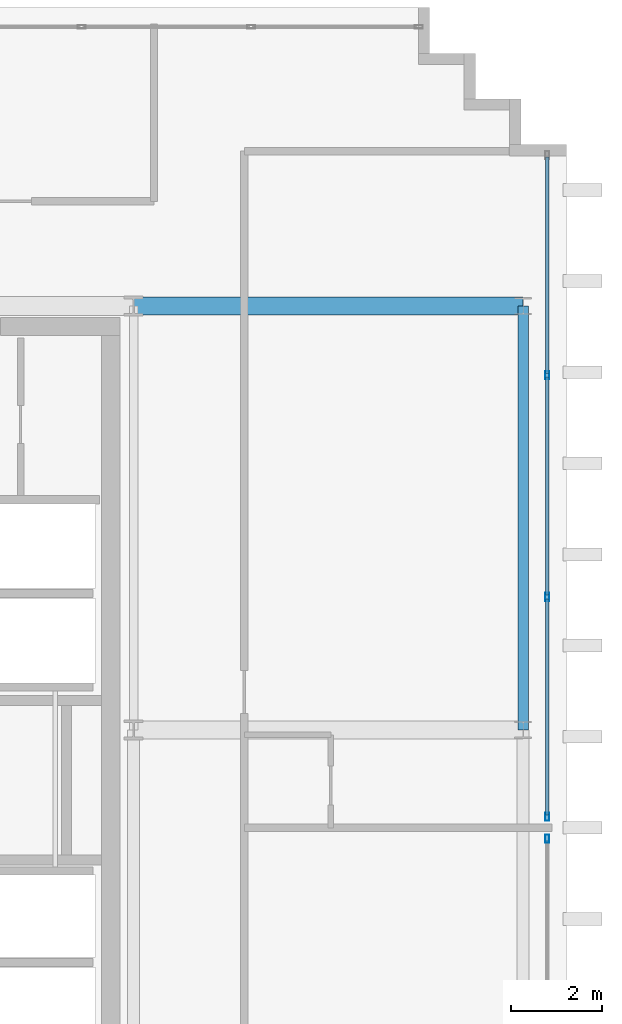
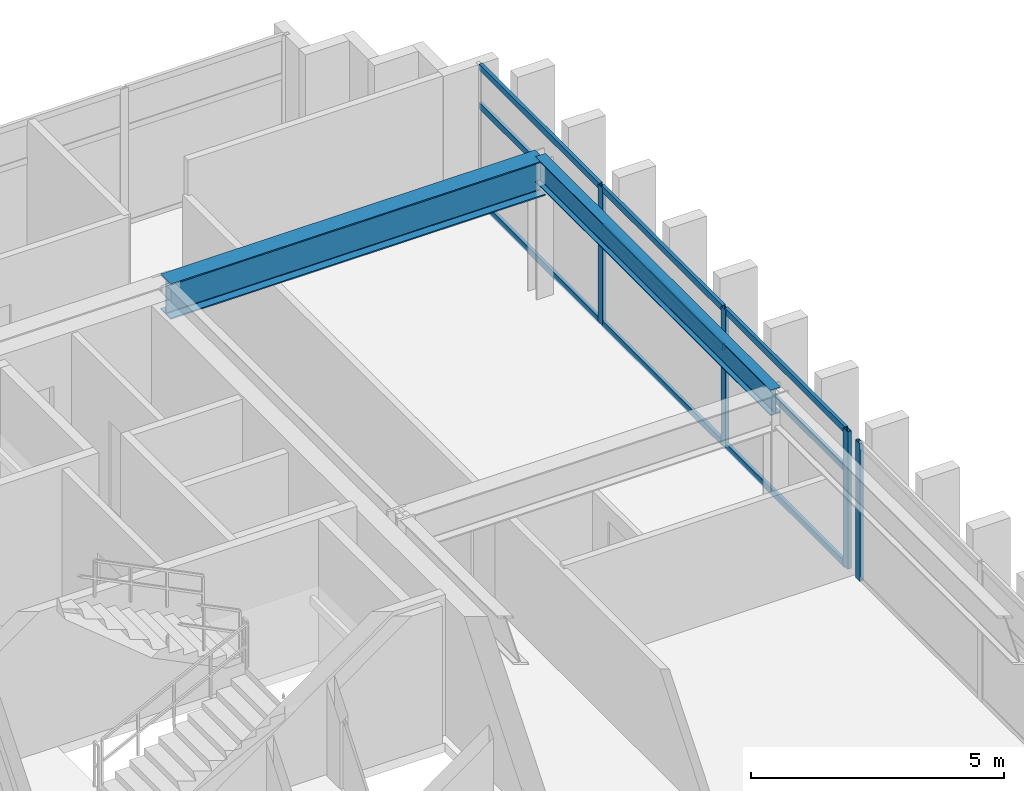
# One storey, part 8 of 15: 13 members, 2 beams, 2 elements without a shape of their own.
"""IFC4 building model written with IfcOpenShell, lengths in metres."""

from ifc_helpers import new_model, si_unit, direction, frame, origin, origin_2d, place, context, subcontext, project, spatial, hollow_rectangle, i_section, extrude, source, transform, mapped, material, layer, layer_set, material_profile, profile_set, type_object, element, aggregate, save


model = new_model("IFC4")

# Units and contexts
model_context = context("Model", 3, precision=1e-05, world=origin(), true_north=direction((0.0, 1.0)))
body_context = subcontext(model_context, "Body", "Model", "MODEL_VIEW")
ifc_project = project(units=[si_unit("LENGTHUNIT", "METRE"), si_unit("AREAUNIT", "SQUARE_METRE"), si_unit("VOLUMEUNIT", "CUBIC_METRE"), si_unit("PLANEANGLEUNIT", "RADIAN"), si_unit("MASSUNIT", "GRAM", prefix="KILO")], contexts=[model_context])

# Site, building, storey
site_placement = place(None, origin())
site = spatial("IfcSite", under=ifc_project, at=site_placement, CompositionType="ELEMENT")
building_placement = place(site_placement, origin())
building = spatial("IfcBuilding", under=site, at=building_placement, Name="Ocotamira Hotel", CompositionType="ELEMENT")
storey_placement = place(building_placement, frame((0.0, 0.0, 297.60009765625)))
storey = spatial("IfcBuildingStorey", under=building, at=storey_placement, Name="L76", CompositionType="ELEMENT", Elevation=297.60009765625)

# Beams
ifc_material_1 = material(Name="Steel ASTM A992 Grade 50", Category="steel")
ifc_material_profile_1 = material_profile(ifc_material_1, i_section(OverallWidth=0.22998046875, OverallDepth=0.616943359375, WebThickness=0.01318359375, FlangeThickness=0.022216796875, FilletRadius=0.012939453125, at=origin_2d()), Name="W24X94")
ifc_profile_set_1 = profile_set([ifc_material_profile_1], Name="Steel ASTM A992 Grade 50")
beam_type_1 = type_object("IfcBeamType", Name="BM-PRIM-W24X94", PredefinedType="BEAM", material=ifc_profile_set_1)
shared_shape_1 = source(origin(), body_context, "Body", "SweptSolid", [
    extrude(i_section(OverallWidth=0.22998046875, OverallDepth=0.616943359375, WebThickness=0.01318359375, FlangeThickness=0.022216796875, FilletRadius=0.012939453125, at=origin_2d()), origin(), (0.0, 0.0, 1.0), 9.300048828125),
])
beam_1_placement = place(storey_placement, frame((32.050048828125, 28.14990234375, 3.011474609375), z_axis=(0.0, 1.0, 0.0), x_axis=(-1.0, 0.0, 0.0)))
element("IfcBeam", 1, at=beam_1_placement, inside=storey, type_object=beam_type_1, Name="L76 Beam X32.05 Y28.15-37.45", PredefinedType="BEAM", context=body_context, shape_type="MappedRepresentation", body=[
    mapped(shared_shape_1, transform((0.0, 0.0, 0.0), scale=1.0)),
])
ifc_material_profile_2 = material_profile(ifc_material_1, i_section(OverallWidth=0.39990234375, OverallDepth=0.85595703125, WebThickness=0.018310546875, FlangeThickness=0.029296875, FilletRadius=0.02001953125, at=origin_2d()), Name="W33X201")
ifc_profile_set_2 = profile_set([ifc_material_profile_2], Name="Steel ASTM A992 Grade 50")
beam_type_2 = type_object("IfcBeamType", Name="BM-GIRD-W33X201", PredefinedType="BEAM", material=ifc_profile_set_2)
shared_shape_2 = source(origin(), body_context, "Body", "SweptSolid", [
    extrude(i_section(OverallWidth=0.39990234375, OverallDepth=0.85595703125, WebThickness=0.018310546875, FlangeThickness=0.029296875, FilletRadius=0.02001953125, at=origin_2d()), origin(), (0.0, 0.0, 1.0), 8.550048828125),
])
beam_2_placement = place(storey_placement, frame((23.5, 37.449951171875, 2.891845703125), z_axis=(1.0, 0.0, 0.0), x_axis=(0.0, 1.0, 0.0)))
element("IfcBeam", 2, at=beam_2_placement, inside=storey, type_object=beam_type_2, Name="L76 Girder Y37.45 X23.5-32.05", PredefinedType="BEAM", context=body_context, shape_type="MappedRepresentation", body=[
    mapped(shared_shape_2, transform((0.0, 0.0, 0.0), scale=1.0)),
])

# Curtain wall, members
ifc_material_2 = material(Name="Anodised pale-metal aluminium and solar glass", Category="aluminium")
ifc_layer = layer(ifc_material_2, 0.2099609375)
ifc_layer_set = layer_set([ifc_layer], Name="Anodised pale-metal aluminium and solar glass")
curtain_wall_type = type_object("IfcCurtainWallType", Name="CW-SYS7-PEAK", PredefinedType="NOTDEFINED", material=ifc_layer_set)
curtain_wall_1_placement = place(storey_placement, origin())
curtain_wall_1 = element("IfcCurtainWall", 3, at=curtain_wall_1_placement, inside=storey, type_object=curtain_wall_type, Name="L76 Curtain Wall CW-7 CW-L76-E2", PredefinedType="NOTDEFINED")
ifc_material_3 = material(Name="Anodised pale-metal aluminium 6063-T6", Category="aluminium")
ifc_material_profile_3 = material_profile(ifc_material_3, hollow_rectangle(XDim=0.074951171875, YDim=0.14990234375, WallThickness=0.006103515625, at=origin_2d()), Name="HSS150X75X6")
ifc_profile_set_3 = profile_set([ifc_material_profile_3], Name="Anodised pale-metal aluminium 6063-T6")
member_type_1 = type_object("IfcMemberType", Name="CWT-150X75", PredefinedType="USERDEFINED", material=ifc_profile_set_3)
shared_shape_3 = source(origin(), body_context, "Body", "SweptSolid", [
    extrude(hollow_rectangle(XDim=0.074951171875, YDim=0.14990234375, WallThickness=0.006103515625, at=origin_2d()), origin(), (0.0, 0.0, 1.0), 4.74658203125),
])
member_1_placement = place(storey_placement, frame((32.580078125, 26.280029296875, 0.037353515625), z_axis=(0.0, 1.0, 0.0), x_axis=(-1.0, 0.0, 0.0)))
member_1 = element("IfcMember", 4, at=member_1_placement, type_object=member_type_1, Name="CW-7 transom 1.1", ObjectType="TRANSOM", PredefinedType="USERDEFINED", context=body_context, shape_type="MappedRepresentation", body=[
    mapped(shared_shape_3, transform((0.0, 0.0, 0.0), scale=1.0)),
])
member_2_placement = place(storey_placement, frame((32.580078125, 26.280029296875, 2.349853515625), z_axis=(0.0, 1.0, 0.0), x_axis=(-1.0, 0.0, 0.0)))
member_2 = element("IfcMember", 5, at=member_2_placement, type_object=member_type_1, Name="CW-7 transom 1.2", ObjectType="TRANSOM", PredefinedType="USERDEFINED", context=body_context, shape_type="MappedRepresentation", body=[
    mapped(shared_shape_3, transform((0.0, 0.0, 0.0), scale=1.0)),
])
member_3_placement = place(storey_placement, frame((32.580078125, 26.280029296875, 3.282470703125), z_axis=(0.0, 1.0, 0.0), x_axis=(-1.0, 0.0, 0.0)))
member_3 = element("IfcMember", 6, at=member_3_placement, type_object=member_type_1, Name="CW-7 transom 1.3", ObjectType="TRANSOM", PredefinedType="USERDEFINED", context=body_context, shape_type="MappedRepresentation", body=[
    mapped(shared_shape_3, transform((0.0, 0.0, 0.0), scale=1.0)),
])
member_4_placement = place(storey_placement, frame((32.580078125, 35.973388671875, 0.037353515625), z_axis=(0.0, 1.0, 0.0), x_axis=(-1.0, 0.0, 0.0)))
member_4 = element("IfcMember", 7, at=member_4_placement, type_object=member_type_1, Name="CW-7 transom 3.1", ObjectType="TRANSOM", PredefinedType="USERDEFINED", context=body_context, shape_type="MappedRepresentation", body=[
    mapped(shared_shape_3, transform((0.0, 0.0, 0.0), scale=1.0)),
])
member_5_placement = place(storey_placement, frame((32.580078125, 35.973388671875, 2.349853515625), z_axis=(0.0, 1.0, 0.0), x_axis=(-1.0, 0.0, 0.0)))
member_5 = element("IfcMember", 8, at=member_5_placement, type_object=member_type_1, Name="CW-7 transom 3.2", ObjectType="TRANSOM", PredefinedType="USERDEFINED", context=body_context, shape_type="MappedRepresentation", body=[
    mapped(shared_shape_3, transform((0.0, 0.0, 0.0), scale=1.0)),
])
member_6_placement = place(storey_placement, frame((32.580078125, 35.973388671875, 3.282470703125), z_axis=(0.0, 1.0, 0.0), x_axis=(-1.0, 0.0, 0.0)))
member_6 = element("IfcMember", 9, at=member_6_placement, type_object=member_type_1, Name="CW-7 transom 3.3", ObjectType="TRANSOM", PredefinedType="USERDEFINED", context=body_context, shape_type="MappedRepresentation", body=[
    mapped(shared_shape_3, transform((0.0, 0.0, 0.0), scale=1.0)),
])
shared_shape_4 = source(origin(), body_context, "Body", "SweptSolid", [
    extrude(hollow_rectangle(XDim=0.074951171875, YDim=0.14990234375, WallThickness=0.006103515625, at=origin_2d()), origin(), (0.0, 0.0, 1.0), 4.78662109375),
])
member_7_placement = place(storey_placement, frame((32.580078125, 31.106689453125, 0.037353515625), z_axis=(0.0, 1.0, 0.0), x_axis=(-1.0, 0.0, 0.0)))
member_7 = element("IfcMember", 10, at=member_7_placement, type_object=member_type_1, Name="CW-7 transom 2.1", ObjectType="TRANSOM", PredefinedType="USERDEFINED", context=body_context, shape_type="MappedRepresentation", body=[
    mapped(shared_shape_4, transform((0.0, 0.0, 0.0), scale=1.0)),
])
member_8_placement = place(storey_placement, frame((32.580078125, 31.106689453125, 2.349853515625), z_axis=(0.0, 1.0, 0.0), x_axis=(-1.0, 0.0, 0.0)))
member_8 = element("IfcMember", 11, at=member_8_placement, type_object=member_type_1, Name="CW-7 transom 2.2", ObjectType="TRANSOM", PredefinedType="USERDEFINED", context=body_context, shape_type="MappedRepresentation", body=[
    mapped(shared_shape_4, transform((0.0, 0.0, 0.0), scale=1.0)),
])
member_9_placement = place(storey_placement, frame((32.580078125, 31.106689453125, 3.282470703125), z_axis=(0.0, 1.0, 0.0), x_axis=(-1.0, 0.0, 0.0)))
member_9 = element("IfcMember", 12, at=member_9_placement, type_object=member_type_1, Name="CW-7 transom 2.3", ObjectType="TRANSOM", PredefinedType="USERDEFINED", context=body_context, shape_type="MappedRepresentation", body=[
    mapped(shared_shape_4, transform((0.0, 0.0, 0.0), scale=1.0)),
])

# Curtain wall, member
curtain_wall_2_placement = place(storey_placement, origin())
curtain_wall_2 = element("IfcCurtainWall", 13, at=curtain_wall_2_placement, inside=storey, type_object=curtain_wall_type, Name="L76 Curtain Wall CW-7 CW-L76-E1", PredefinedType="NOTDEFINED")
ifc_material_profile_4 = material_profile(ifc_material_3, hollow_rectangle(XDim=0.080078125, YDim=0.179931640625, WallThickness=0.006103515625, at=origin_2d()), Name="HSS180X80X6")
ifc_profile_set_4 = profile_set([ifc_material_profile_4], Name="Anodised pale-metal aluminium 6063-T6")
member_type_2 = type_object("IfcMemberType", Name="CWM-180X75", PredefinedType="MULLION", material=ifc_profile_set_4)
shared_shape_5 = source(origin(), body_context, "Body", "SweptSolid", [
    extrude(hollow_rectangle(XDim=0.080078125, YDim=0.179931640625, WallThickness=0.006103515625, at=origin_2d()), origin(), (0.0, 0.0, 1.0), 3.31982421875),
])
member_10_placement = place(storey_placement, frame((32.580078125, 25.760009765625, 0.0), z_axis=(0.0, 0.0, 1.0), x_axis=(-1.0, 0.0, 0.0)))
member_10 = element("IfcMember", 14, at=member_10_placement, type_object=member_type_2, Name="CW-7 mullion 4", PredefinedType="MULLION", context=body_context, shape_type="MappedRepresentation", body=[
    mapped(shared_shape_5, transform((0.0, 0.0, 0.0), scale=1.0)),
])
aggregate(curtain_wall_2, [member_10])

# Member
member_11_placement = place(storey_placement, frame((32.580078125, 26.239990234375, 0.0), z_axis=(0.0, 0.0, 1.0), x_axis=(-1.0, 0.0, 0.0)))
member_11 = element("IfcMember", 15, at=member_11_placement, type_object=member_type_2, Name="CW-7 mullion 1", PredefinedType="MULLION", context=body_context, shape_type="MappedRepresentation", body=[
    mapped(shared_shape_5, transform((0.0, 0.0, 0.0), scale=1.0)),
])

member_12_placement = place(storey_placement, frame((32.580078125, 31.066650390625, 0.0), z_axis=(0.0, 0.0, 1.0), x_axis=(-1.0, 0.0, 0.0)))
member_12 = element("IfcMember", 16, at=member_12_placement, type_object=member_type_2, Name="CW-7 mullion 2", PredefinedType="MULLION", context=body_context, shape_type="MappedRepresentation", body=[
    mapped(shared_shape_5, transform((0.0, 0.0, 0.0), scale=1.0)),
])

member_13_placement = place(storey_placement, frame((32.580078125, 35.933349609375, 0.0), z_axis=(0.0, 0.0, 1.0), x_axis=(-1.0, 0.0, 0.0)))
member_13 = element("IfcMember", 17, at=member_13_placement, type_object=member_type_2, Name="CW-7 mullion 3", PredefinedType="MULLION", context=body_context, shape_type="MappedRepresentation", body=[
    mapped(shared_shape_5, transform((0.0, 0.0, 0.0), scale=1.0)),
])

aggregate(curtain_wall_1, [member_11, member_12, member_13, member_1, member_2, member_3, member_7, member_8, member_9, member_4, member_5, member_6])

save(model, "model.ifc")
